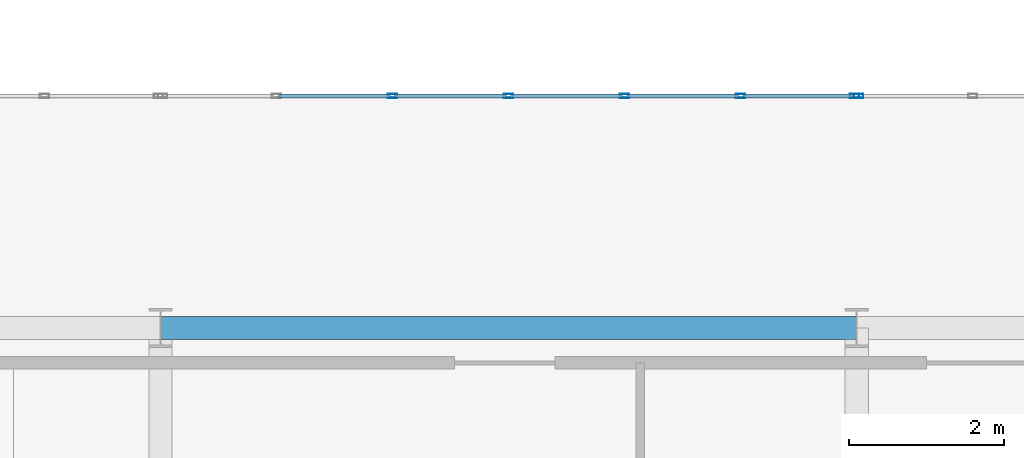
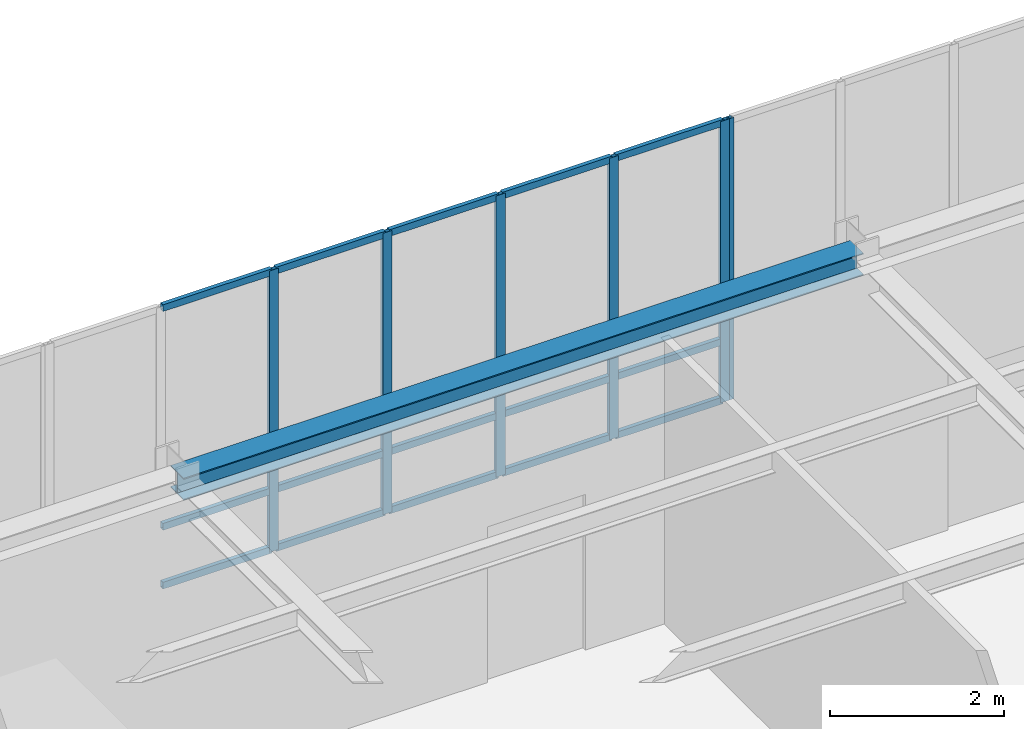
# One storey, part 33 of 108: 21 members, 1 beam, 2 elements without a shape of their own.
"""IFC4 building model written with IfcOpenShell, lengths in metres."""

import ifcopenshell
import ifcopenshell.guid

model = None  # the IFC model being written
_history = None  # IfcOwnerHistory: only IFC2X3 demands one
_inside = {}  # id of a spatial element -> (the spatial element, [elements in it])
_under = {}  # id of a project, library or spatial element -> (it, [spatial elements below it])
_declared = {}  # id of a project -> (the project, [libraries it declares])
_typed = {}  # id of a type object -> (the type object, [elements of that type])
_made_of = {}  # id of a material, layer set ... -> (it, [elements and type objects made of it])


def new_model(schema):
    """Start an empty IFC model of exactly this schema.

    Asked for "IFC4X3", IfcOpenShell would pick the latest addendum, in which some entities
    have other attributes; the version numbers below select the first issue.
    IFC2X3 requires an IfcOwnerHistory on every rooted entity: one is made here for all.
    """
    global model, _history
    if schema == "IFC4X3":
        model = ifcopenshell.file(schema_version=(4, 3, 0, 0))
    else:
        model = ifcopenshell.file(schema=schema)
    _inside.clear()
    _under.clear()
    _declared.clear()
    _typed.clear()
    _made_of.clear()
    _history = None
    if model.schema == "IFC2X3":
        org = make("IfcOrganization", Name="unknown")
        user = make(
            "IfcPersonAndOrganization",
            ThePerson=make("IfcPerson", FamilyName="unknown"),
            TheOrganization=org,
        )
        app = make(
            "IfcApplication",
            ApplicationDeveloper=org,
            Version="unknown",
            ApplicationFullName="unknown",
            ApplicationIdentifier="unknown",
        )
        _history = make(
            "IfcOwnerHistory",
            OwningUser=user,
            OwningApplication=app,
            ChangeAction="ADDED",
            CreationDate=0,
        )
    return model


def make(cls, **values):
    """One entity of the class cls with the attributes given. An attribute that is None is left unset."""
    return model.create_entity(
        cls, **{name: value for name, value in values.items() if value is not None}
    )


def rooted(cls, **values):
    """An entity with a GlobalId (a new one), such as an element, a storey or a relation."""
    return make(cls, GlobalId=ifcopenshell.guid.new(), OwnerHistory=_history, **values)


def si_unit(unit_type, name, prefix=None):
    """IfcSIUnit, for example si_unit("LENGTHUNIT", "METRE", prefix="MILLI")."""
    return make("IfcSIUnit", UnitType=unit_type, Prefix=prefix, Name=name)


def assignment(units):
    """IfcUnitAssignment: the units of a project."""
    return None if units is None else make("IfcUnitAssignment", Units=units)


def point(xyz):
    """IfcCartesianPoint."""
    return None if xyz is None else make("IfcCartesianPoint", Coordinates=xyz)


def direction(xyz):
    """IfcDirection."""
    return None if xyz is None else make("IfcDirection", DirectionRatios=xyz)


def frame(location, z_axis=None, x_axis=None):
    """IfcAxis2Placement3D, a coordinate frame: its origin and axes. An axis left out is left unset."""
    return make(
        "IfcAxis2Placement3D",
        Location=point(location),
        Axis=direction(z_axis),
        RefDirection=direction(x_axis),
    )


def frame_2d(location, x_axis=None):
    """IfcAxis2Placement2D, a coordinate frame in the plane: its origin and x axis."""
    return make(
        "IfcAxis2Placement2D", Location=point(location), RefDirection=direction(x_axis)
    )


def origin():
    """The frame at (0, 0, 0) with its axes left unset."""
    return frame((0.0, 0.0, 0.0))


def origin_2d():
    """The frame at (0, 0) in the plane with its x axis left unset."""
    return frame_2d((0.0, 0.0))


def place(relative_to, where):
    """IfcLocalPlacement: puts the frame where relative to a parent placement (None: the world)."""
    return make(
        "IfcLocalPlacement", PlacementRelTo=relative_to, RelativePlacement=where
    )


def context(
    kind, dimensions, precision=None, world=None, true_north=None, identifier=None
):
    """IfcGeometricRepresentationContext, for example the 3D "Model" context."""
    return make(
        "IfcGeometricRepresentationContext",
        ContextIdentifier=identifier,
        ContextType=kind,
        CoordinateSpaceDimension=dimensions,
        Precision=precision,
        WorldCoordinateSystem=world,
        TrueNorth=true_north,
    )


def subcontext(parent, identifier, kind, view, scale=None):
    """IfcGeometricRepresentationSubContext, for example "Body" below "Model"."""
    return make(
        "IfcGeometricRepresentationSubContext",
        ContextIdentifier=identifier,
        ContextType=kind,
        ParentContext=parent,
        TargetScale=scale,
        TargetView=view,
    )


def project(units=None, contexts=None):
    """IfcProject with its units and contexts."""
    return rooted(
        "IfcProject",
        Name="project",
        RepresentationContexts=contexts,
        UnitsInContext=assignment(units),
    )


def spatial(cls, under=None, at=None, **own):
    """A site, building, storey or space (cls), placed at a placement, below another one or the project."""
    s = rooted(cls, ObjectPlacement=at, **own)
    if under is not None:
        _under.setdefault(under.id(), (under, []))[1].append(s)
    return s


def profile(cls, at=None, kind="AREA", **sizes):
    """A parametric profile (cls). Its sizes go by their IFC names, for example OverallWidth=200.0."""
    return make(cls, ProfileType=kind, Position=at, **sizes)


def hollow_rectangle(**sizes):
    """IfcRectangleHollowProfileDef."""
    return profile("IfcRectangleHollowProfileDef", **sizes)


def i_section(**sizes):
    """IfcIShapeProfileDef."""
    return profile("IfcIShapeProfileDef", **sizes)


def extrude(swept, where, along, depth):
    """IfcExtrudedAreaSolid: the profile swept, set in the frame where, extruded along a direction by depth."""
    return make(
        "IfcExtrudedAreaSolid",
        SweptArea=swept,
        Position=where,
        ExtrudedDirection=direction(along),
        Depth=depth,
    )


def shape(context_of_items, identifier, shape_type, items):
    """IfcShapeRepresentation: the items that make up one representation, for example the "Body"."""
    return make(
        "IfcShapeRepresentation",
        ContextOfItems=context_of_items,
        RepresentationIdentifier=identifier,
        RepresentationType=shape_type,
        Items=items,
    )


def material(Name=None, Category=None):
    """IfcMaterial."""
    return make("IfcMaterial", Name=Name, Category=Category)


def material_profile(
    of_material, cross_section, Name=None, Category=None, Priority=None
):
    """IfcMaterialProfile: a cross section and its material."""
    return make(
        "IfcMaterialProfile",
        Name=Name,
        Material=of_material,
        Profile=cross_section,
        Priority=Priority,
        Category=Category,
    )


def profile_set(profiles, Name=None, composite=None):
    """IfcMaterialProfileSet."""
    return make(
        "IfcMaterialProfileSet",
        Name=Name,
        MaterialProfiles=profiles,
        CompositeProfile=composite,
    )


def made_of(thing, what):
    """Note that an element or type object is made of a material, layer set ...; save() writes the relation."""
    if what is not None:
        _made_of.setdefault(what.id(), (what, []))[1].append(thing)
    return thing


def type_object(cls, material=None, **own):
    """A type object (cls), such as IfcWallType, which elements share."""
    return made_of(rooted(cls, **own), material)


def element(
    cls,
    number,
    at=None,
    inside=None,
    cuts=None,
    type_object=None,
    material=None,
    context=None,
    identifier="Body",
    shape_type=None,
    held_by="IfcProductDefinitionShape",
    body=None,
    shapes=None,
    **own,
):
    """One element of the class cls, such as IfcWall. Its Tag is "e" and its number.

    at: its placement. inside: the storey or other place that contains it. cuts: it is an
    opening in that element (IfcRelVoidsElement). A single representation is given by context,
    identifier, shape_type and body (its items); several are given by shapes. held_by: the class
    of the entity that holds the representations. save() writes the other relations.
    """
    e = rooted(cls, Tag="e%d" % number, ObjectPlacement=at, **own)
    if body is not None:
        shapes = [shape(context, identifier, shape_type, body)]
    if shapes is not None:
        e.Representation = make(held_by, Representations=shapes)
    if inside is not None:
        _inside.setdefault(inside.id(), (inside, []))[1].append(e)
    if cuts is not None:
        rooted(
            "IfcRelVoidsElement", RelatingBuildingElement=cuts, RelatedOpeningElement=e
        )
    if type_object is not None:
        _typed.setdefault(type_object.id(), (type_object, []))[1].append(e)
    return made_of(e, material)


def aggregate(whole, parts):
    """IfcRelAggregates: a whole, such as a stair, and the parts it consists of."""
    return rooted("IfcRelAggregates", RelatingObject=whole, RelatedObjects=parts)


def save(model, path):
    """Write the relations noted so far, then the file.

    IfcRelAggregates (storeys below a building ...), IfcRelContainedInSpatialStructure (elements
    in a storey), IfcRelDefinesByType, IfcRelAssociatesMaterial and IfcRelDeclares: one each for
    every whole, place, type object, material and project.
    """
    for whole, parts in _under.values():
        aggregate(whole, parts)
    for where, things in _inside.values():
        rooted(
            "IfcRelContainedInSpatialStructure",
            RelatedElements=things,
            RelatingStructure=where,
        )
    for kind, things in _typed.values():
        rooted("IfcRelDefinesByType", RelatedObjects=things, RelatingType=kind)
    for what, things in _made_of.values():
        rooted("IfcRelAssociatesMaterial", RelatedObjects=things, RelatingMaterial=what)
    for by, libraries in _declared.values():
        rooted("IfcRelDeclares", RelatingContext=by, RelatedDefinitions=libraries)
    model.write(path)


model = new_model("IFC4")

# Units and contexts
model_context = context("Model", 3, precision=1e-05, world=origin(), true_north=direction((0.0, 1.0)))
body_context = subcontext(model_context, "Body", "Model", "MODEL_VIEW")
ifc_project = project(units=[si_unit("LENGTHUNIT", "METRE"), si_unit("AREAUNIT", "SQUARE_METRE"), si_unit("VOLUMEUNIT", "CUBIC_METRE"), si_unit("PLANEANGLEUNIT", "RADIAN"), si_unit("MASSUNIT", "GRAM", prefix="KILO")], contexts=[model_context])

# Site, building, storey
site_placement = place(None, origin())
site = spatial("IfcSite", under=ifc_project, at=site_placement, CompositionType="ELEMENT")
building_placement = place(site_placement, origin())
building = spatial("IfcBuilding", under=site, at=building_placement, Name="Lykobir Media Centre", CompositionType="ELEMENT")
storey_placement = place(building_placement, frame((0.0, 0.0, 15.0)))
storey = spatial("IfcBuildingStorey", under=building, at=storey_placement, Name="L03", CompositionType="ELEMENT", Elevation=15.0)

# Curtain wall, members
ifc_material_1 = material(Name="Anodized Aluminium AW-6060", Category="aluminium")
curtain_wall_type = type_object("IfcCurtainWallType", Name="CW-COURT-B", PredefinedType="NOTDEFINED", material=ifc_material_1)
curtain_wall_1_placement = place(storey_placement, origin())
curtain_wall_1 = element("IfcCurtainWall", 1, at=curtain_wall_1_placement, inside=storey, type_object=curtain_wall_type, Name="Curtain wall CW2-L03-0113", PredefinedType="NOTDEFINED")
ifc_material_profile_1 = material_profile(ifc_material_1, hollow_rectangle(XDim=0.054931640625, YDim=0.1201171875, WallThickness=0.003173828125, at=origin_2d()), Name="ALU MULLION 55x120")
ifc_profile_set_1 = profile_set([ifc_material_profile_1], Name="Anodized Aluminium AW-6060")
member_type_1 = type_object("IfcMemberType", Name="CWM-120", PredefinedType="MULLION", material=ifc_profile_set_1)
member_1_placement = place(storey_placement, frame((57.0, 21.0, 0.0), z_axis=(0.0, 0.0, 1.0), x_axis=(0.0, 1.0, 0.0)))
member_1 = element("IfcMember", 2, at=member_1_placement, type_object=member_type_1, Name="CW2-L03-0113 mullion 3", PredefinedType="MULLION", context=body_context, shape_type="SweptSolid", body=[
    extrude(hollow_rectangle(XDim=0.054931640625, YDim=0.1201171875, WallThickness=0.003173828125, at=origin_2d()), origin(), (0.0, 0.0, 1.0), 3.93994140625),
])
member_2_placement = place(storey_placement, frame((58.5, 21.0, 0.0), z_axis=(0.0, 0.0, 1.0), x_axis=(0.0, 1.0, 0.0)))
member_2 = element("IfcMember", 3, at=member_2_placement, type_object=member_type_1, Name="CW2-L03-0113 mullion 4", PredefinedType="MULLION", context=body_context, shape_type="SweptSolid", body=[
    extrude(hollow_rectangle(XDim=0.054931640625, YDim=0.1201171875, WallThickness=0.003173828125, at=origin_2d()), origin(), (0.0, 0.0, 1.0), 3.93994140625),
])
member_3_placement = place(storey_placement, frame((60.0, 21.0, 0.0), z_axis=(0.0, 0.0, 1.0), x_axis=(0.0, 1.0, 0.0)))
member_3 = element("IfcMember", 4, at=member_3_placement, type_object=member_type_1, Name="CW2-L03-0113 mullion 5", PredefinedType="MULLION", context=body_context, shape_type="SweptSolid", body=[
    extrude(hollow_rectangle(XDim=0.054931640625, YDim=0.1201171875, WallThickness=0.003173828125, at=origin_2d()), origin(), (0.0, 0.0, 1.0), 3.93994140625),
])
member_4_placement = place(storey_placement, frame((61.5, 21.0, 0.0), z_axis=(0.0, 0.0, 1.0), x_axis=(0.0, 1.0, 0.0)))
member_4 = element("IfcMember", 5, at=member_4_placement, type_object=member_type_1, Name="CW2-L03-0113 mullion 6", PredefinedType="MULLION", context=body_context, shape_type="SweptSolid", body=[
    extrude(hollow_rectangle(XDim=0.054931640625, YDim=0.1201171875, WallThickness=0.003173828125, at=origin_2d()), origin(), (0.0, 0.0, 1.0), 3.93994140625),
])
member_5_placement = place(storey_placement, frame((62.972412109375, 21.0, 0.0), z_axis=(0.0, 0.0, 1.0), x_axis=(0.0, 1.0, 0.0)))
member_5 = element("IfcMember", 6, at=member_5_placement, type_object=member_type_1, Name="CW2-L03-0113 mullion 7", PredefinedType="MULLION", context=body_context, shape_type="SweptSolid", body=[
    extrude(hollow_rectangle(XDim=0.054931640625, YDim=0.1201171875, WallThickness=0.003173828125, at=origin_2d()), origin(), (0.0, 0.0, 1.0), 3.93994140625),
])

# Curtain wall, member
curtain_wall_2_placement = place(storey_placement, origin())
curtain_wall_2 = element("IfcCurtainWall", 7, at=curtain_wall_2_placement, inside=storey, type_object=curtain_wall_type, Name="Curtain wall CW2-L03-0114", PredefinedType="NOTDEFINED")
member_6_placement = place(storey_placement, frame((63.027587890625, 21.0, 0.0), z_axis=(0.0, 0.0, 1.0), x_axis=(0.0, 1.0, 0.0)))
member_6 = element("IfcMember", 8, at=member_6_placement, type_object=member_type_1, Name="CW2-L03-0114 mullion 1", PredefinedType="MULLION", context=body_context, shape_type="SweptSolid", body=[
    extrude(hollow_rectangle(XDim=0.054931640625, YDim=0.1201171875, WallThickness=0.003173828125, at=origin_2d()), origin(), (0.0, 0.0, 1.0), 3.93994140625),
])
aggregate(curtain_wall_2, [member_6])

# Member
ifc_material_profile_2 = material_profile(ifc_material_1, hollow_rectangle(XDim=0.054931640625, YDim=0.094970703125, WallThickness=0.0029296875, at=origin_2d()), Name="ALU TRANSOM 55x95")
ifc_profile_set_2 = profile_set([ifc_material_profile_2], Name="Anodized Aluminium AW-6060")
member_type_2 = type_object("IfcMemberType", Name="CWT-095", PredefinedType="USERDEFINED", material=ifc_profile_set_2)
member_7_placement = place(storey_placement, frame((55.527587890625, 21.0, 0.027587890625), z_axis=(1.0, 0.0, 0.0), x_axis=(0.0, 1.0, 0.0)))
member_7 = element("IfcMember", 9, at=member_7_placement, type_object=member_type_2, Name="CW2-L03-0113 transom 2.1", ObjectType="TRANSOM", PredefinedType="USERDEFINED", context=body_context, shape_type="SweptSolid", body=[
    extrude(hollow_rectangle(XDim=0.054931640625, YDim=0.094970703125, WallThickness=0.0029296875, at=origin_2d()), origin(), (0.0, 0.0, 1.0), 1.44482421875),
])

member_8_placement = place(storey_placement, frame((55.527587890625, 21.0, 0.85009765625), z_axis=(1.0, 0.0, 0.0), x_axis=(0.0, 1.0, 0.0)))
member_8 = element("IfcMember", 10, at=member_8_placement, type_object=member_type_2, Name="CW2-L03-0113 transom 2.2", ObjectType="TRANSOM", PredefinedType="USERDEFINED", context=body_context, shape_type="SweptSolid", body=[
    extrude(hollow_rectangle(XDim=0.054931640625, YDim=0.094970703125, WallThickness=0.0029296875, at=origin_2d()), origin(), (0.0, 0.0, 1.0), 1.44482421875),
])

member_9_placement = place(storey_placement, frame((55.527587890625, 21.0, 3.91259765625), z_axis=(1.0, 0.0, 0.0), x_axis=(0.0, 1.0, 0.0)))
member_9 = element("IfcMember", 11, at=member_9_placement, type_object=member_type_2, Name="CW2-L03-0113 transom 2.3", ObjectType="TRANSOM", PredefinedType="USERDEFINED", context=body_context, shape_type="SweptSolid", body=[
    extrude(hollow_rectangle(XDim=0.054931640625, YDim=0.094970703125, WallThickness=0.0029296875, at=origin_2d()), origin(), (0.0, 0.0, 1.0), 1.44482421875),
])

member_10_placement = place(storey_placement, frame((57.027587890625, 21.0, 0.027587890625), z_axis=(1.0, 0.0, 0.0), x_axis=(0.0, 1.0, 0.0)))
member_10 = element("IfcMember", 12, at=member_10_placement, type_object=member_type_2, Name="CW2-L03-0113 transom 3.1", ObjectType="TRANSOM", PredefinedType="USERDEFINED", context=body_context, shape_type="SweptSolid", body=[
    extrude(hollow_rectangle(XDim=0.054931640625, YDim=0.094970703125, WallThickness=0.0029296875, at=origin_2d()), origin(), (0.0, 0.0, 1.0), 1.44482421875),
])

member_11_placement = place(storey_placement, frame((57.027587890625, 21.0, 0.85009765625), z_axis=(1.0, 0.0, 0.0), x_axis=(0.0, 1.0, 0.0)))
member_11 = element("IfcMember", 13, at=member_11_placement, type_object=member_type_2, Name="CW2-L03-0113 transom 3.2", ObjectType="TRANSOM", PredefinedType="USERDEFINED", context=body_context, shape_type="SweptSolid", body=[
    extrude(hollow_rectangle(XDim=0.054931640625, YDim=0.094970703125, WallThickness=0.0029296875, at=origin_2d()), origin(), (0.0, 0.0, 1.0), 1.44482421875),
])

member_12_placement = place(storey_placement, frame((57.027587890625, 21.0, 3.91259765625), z_axis=(1.0, 0.0, 0.0), x_axis=(0.0, 1.0, 0.0)))
member_12 = element("IfcMember", 14, at=member_12_placement, type_object=member_type_2, Name="CW2-L03-0113 transom 3.3", ObjectType="TRANSOM", PredefinedType="USERDEFINED", context=body_context, shape_type="SweptSolid", body=[
    extrude(hollow_rectangle(XDim=0.054931640625, YDim=0.094970703125, WallThickness=0.0029296875, at=origin_2d()), origin(), (0.0, 0.0, 1.0), 1.44482421875),
])

member_13_placement = place(storey_placement, frame((58.527587890625, 21.0, 0.027587890625), z_axis=(1.0, 0.0, 0.0), x_axis=(0.0, 1.0, 0.0)))
member_13 = element("IfcMember", 15, at=member_13_placement, type_object=member_type_2, Name="CW2-L03-0113 transom 4.1", ObjectType="TRANSOM", PredefinedType="USERDEFINED", context=body_context, shape_type="SweptSolid", body=[
    extrude(hollow_rectangle(XDim=0.054931640625, YDim=0.094970703125, WallThickness=0.0029296875, at=origin_2d()), origin(), (0.0, 0.0, 1.0), 1.44482421875),
])

member_14_placement = place(storey_placement, frame((58.527587890625, 21.0, 0.85009765625), z_axis=(1.0, 0.0, 0.0), x_axis=(0.0, 1.0, 0.0)))
member_14 = element("IfcMember", 16, at=member_14_placement, type_object=member_type_2, Name="CW2-L03-0113 transom 4.2", ObjectType="TRANSOM", PredefinedType="USERDEFINED", context=body_context, shape_type="SweptSolid", body=[
    extrude(hollow_rectangle(XDim=0.054931640625, YDim=0.094970703125, WallThickness=0.0029296875, at=origin_2d()), origin(), (0.0, 0.0, 1.0), 1.44482421875),
])

member_15_placement = place(storey_placement, frame((58.527587890625, 21.0, 3.91259765625), z_axis=(1.0, 0.0, 0.0), x_axis=(0.0, 1.0, 0.0)))
member_15 = element("IfcMember", 17, at=member_15_placement, type_object=member_type_2, Name="CW2-L03-0113 transom 4.3", ObjectType="TRANSOM", PredefinedType="USERDEFINED", context=body_context, shape_type="SweptSolid", body=[
    extrude(hollow_rectangle(XDim=0.054931640625, YDim=0.094970703125, WallThickness=0.0029296875, at=origin_2d()), origin(), (0.0, 0.0, 1.0), 1.44482421875),
])

member_16_placement = place(storey_placement, frame((60.027587890625, 21.0, 0.027587890625), z_axis=(1.0, 0.0, 0.0), x_axis=(0.0, 1.0, 0.0)))
member_16 = element("IfcMember", 18, at=member_16_placement, type_object=member_type_2, Name="CW2-L03-0113 transom 5.1", ObjectType="TRANSOM", PredefinedType="USERDEFINED", context=body_context, shape_type="SweptSolid", body=[
    extrude(hollow_rectangle(XDim=0.054931640625, YDim=0.094970703125, WallThickness=0.0029296875, at=origin_2d()), origin(), (0.0, 0.0, 1.0), 1.44482421875),
])

member_17_placement = place(storey_placement, frame((60.027587890625, 21.0, 0.85009765625), z_axis=(1.0, 0.0, 0.0), x_axis=(0.0, 1.0, 0.0)))
member_17 = element("IfcMember", 19, at=member_17_placement, type_object=member_type_2, Name="CW2-L03-0113 transom 5.2", ObjectType="TRANSOM", PredefinedType="USERDEFINED", context=body_context, shape_type="SweptSolid", body=[
    extrude(hollow_rectangle(XDim=0.054931640625, YDim=0.094970703125, WallThickness=0.0029296875, at=origin_2d()), origin(), (0.0, 0.0, 1.0), 1.44482421875),
])

member_18_placement = place(storey_placement, frame((60.027587890625, 21.0, 3.91259765625), z_axis=(1.0, 0.0, 0.0), x_axis=(0.0, 1.0, 0.0)))
member_18 = element("IfcMember", 20, at=member_18_placement, type_object=member_type_2, Name="CW2-L03-0113 transom 5.3", ObjectType="TRANSOM", PredefinedType="USERDEFINED", context=body_context, shape_type="SweptSolid", body=[
    extrude(hollow_rectangle(XDim=0.054931640625, YDim=0.094970703125, WallThickness=0.0029296875, at=origin_2d()), origin(), (0.0, 0.0, 1.0), 1.44482421875),
])

member_19_placement = place(storey_placement, frame((61.527587890625, 21.0, 0.027587890625), z_axis=(1.0, 0.0, 0.0), x_axis=(0.0, 1.0, 0.0)))
member_19 = element("IfcMember", 21, at=member_19_placement, type_object=member_type_2, Name="CW2-L03-0113 transom 6.1", ObjectType="TRANSOM", PredefinedType="USERDEFINED", context=body_context, shape_type="SweptSolid", body=[
    extrude(hollow_rectangle(XDim=0.054931640625, YDim=0.094970703125, WallThickness=0.0029296875, at=origin_2d()), origin(), (0.0, 0.0, 1.0), 1.41748046875),
])

member_20_placement = place(storey_placement, frame((61.527587890625, 21.0, 0.85009765625), z_axis=(1.0, 0.0, 0.0), x_axis=(0.0, 1.0, 0.0)))
member_20 = element("IfcMember", 22, at=member_20_placement, type_object=member_type_2, Name="CW2-L03-0113 transom 6.2", ObjectType="TRANSOM", PredefinedType="USERDEFINED", context=body_context, shape_type="SweptSolid", body=[
    extrude(hollow_rectangle(XDim=0.054931640625, YDim=0.094970703125, WallThickness=0.0029296875, at=origin_2d()), origin(), (0.0, 0.0, 1.0), 1.41748046875),
])

member_21_placement = place(storey_placement, frame((61.527587890625, 21.0, 3.91259765625), z_axis=(1.0, 0.0, 0.0), x_axis=(0.0, 1.0, 0.0)))
member_21 = element("IfcMember", 23, at=member_21_placement, type_object=member_type_2, Name="CW2-L03-0113 transom 6.3", ObjectType="TRANSOM", PredefinedType="USERDEFINED", context=body_context, shape_type="SweptSolid", body=[
    extrude(hollow_rectangle(XDim=0.054931640625, YDim=0.094970703125, WallThickness=0.0029296875, at=origin_2d()), origin(), (0.0, 0.0, 1.0), 1.41748046875),
])

aggregate(curtain_wall_1, [member_1, member_2, member_3, member_4, member_5, member_7, member_8, member_9, member_10, member_11, member_12, member_13, member_14, member_15, member_16, member_17, member_18, member_19, member_20, member_21])

# Beam
ifc_material_2 = material(Name="Steel S355", Category="steel")
ifc_material_profile_3 = material_profile(ifc_material_2, i_section(OverallWidth=0.300048828125, OverallDepth=0.31005859375, WebThickness=0.009033203125, FlangeThickness=0.015380859375, at=origin_2d()), Name="HEA 320")
ifc_profile_set_3 = profile_set([ifc_material_profile_3], Name="Steel S355")
beam_type = type_object("IfcBeamType", Name="SP-HEA320", PredefinedType="SPANDREL", material=ifc_profile_set_3)
beam_placement = place(storey_placement, frame((54.0, 18.0, 3.804931640625), z_axis=(1.0, 0.0, 0.0), x_axis=(0.0, 1.0, 0.0)))
element("IfcBeam", 24, at=beam_placement, inside=storey, type_object=beam_type, Name="Beam BM-L03-0540-0180-0630-0180-1880", PredefinedType="SPANDREL", context=body_context, shape_type="SweptSolid", body=[
    extrude(i_section(OverallWidth=0.300048828125, OverallDepth=0.31005859375, WebThickness=0.009033203125, FlangeThickness=0.015380859375, at=origin_2d()), origin(), (0.0, 0.0, 1.0), 9.0),
])

save(model, "model.ifc")
